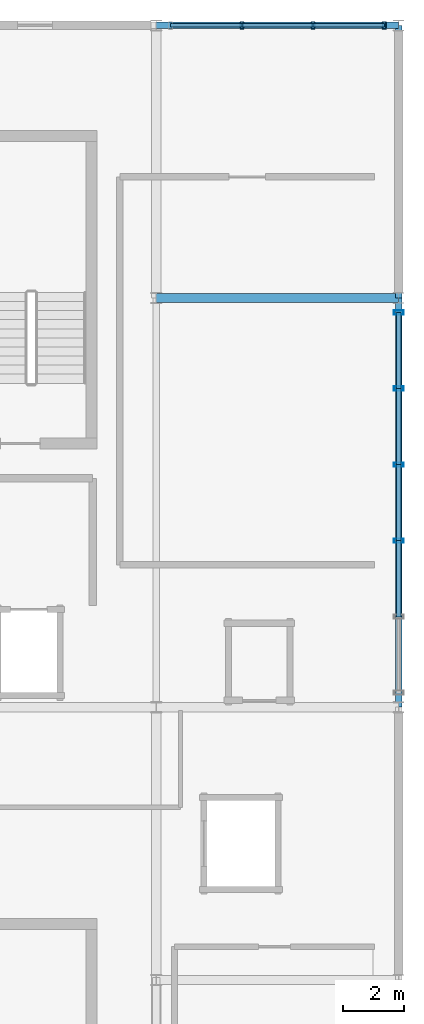
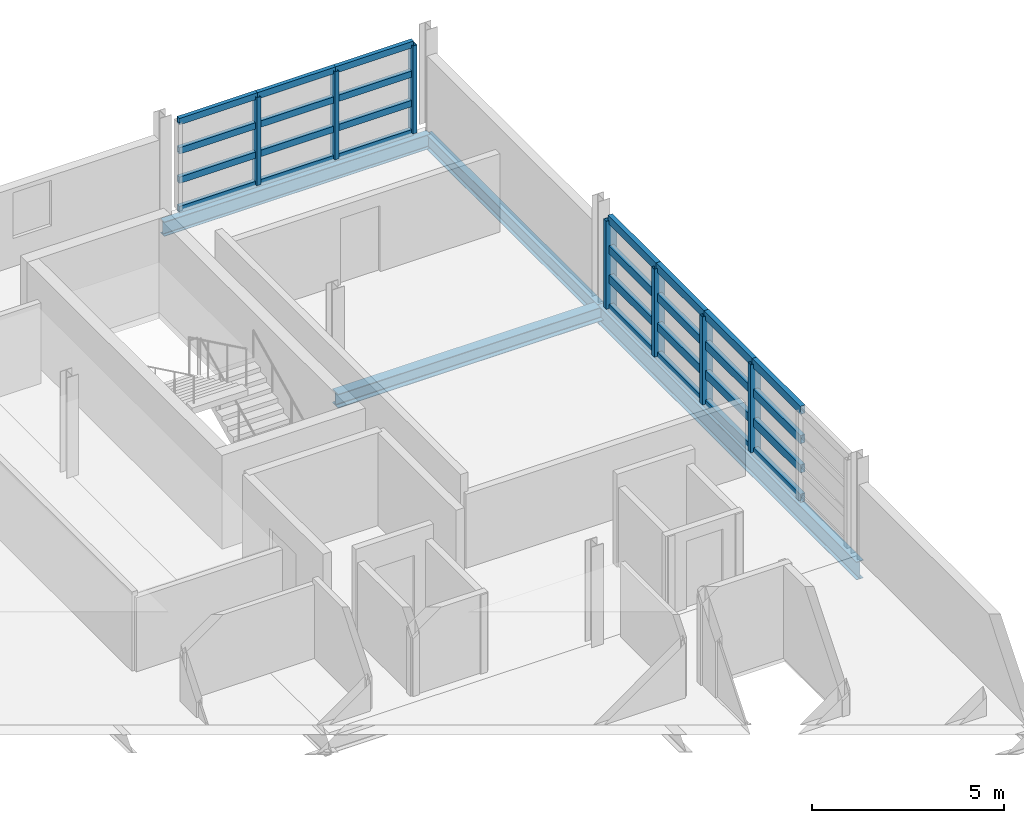
# One storey, part 18 of 30: 35 members, 4 beams, 2 elements without a shape of their own.
"""IFC4 building model written with IfcOpenShell, lengths in metres."""

from ifc_helpers import new_model, si_unit, direction, frame, origin, origin_2d, place, context, subcontext, project, spatial, hollow_rectangle, i_section, extrude, material, material_profile, profile_set, type_object, element, aggregate, save


model = new_model("IFC4")

# Units and contexts
model_context = context("Model", 3, precision=1e-05, world=origin(), true_north=direction((0.0, 1.0)))
body_context = subcontext(model_context, "Body", "Model", "MODEL_VIEW")
ifc_project = project(units=[si_unit("LENGTHUNIT", "METRE"), si_unit("AREAUNIT", "SQUARE_METRE"), si_unit("VOLUMEUNIT", "CUBIC_METRE"), si_unit("PLANEANGLEUNIT", "RADIAN"), si_unit("MASSUNIT", "GRAM", prefix="KILO")], contexts=[model_context])

# Site, building, storey
site_placement = place(None, origin())
site = spatial("IfcSite", under=ifc_project, at=site_placement, CompositionType="ELEMENT")
building_placement = place(site_placement, origin())
building = spatial("IfcBuilding", under=site, at=building_placement, Name="Chuanluo Vaults Station", CompositionType="ELEMENT")
storey_placement = place(building_placement, frame((0.0, 0.0, 17.60009765625)))
storey = spatial("IfcBuildingStorey", under=building, at=storey_placement, Name="L04", CompositionType="ELEMENT", Elevation=17.60009765625)

# Beams
ifc_material_1 = material(Name="Steel Q355C", Category="steel")
ifc_material_profile_1 = material_profile(ifc_material_1, i_section(OverallWidth=0.300048828125, OverallDepth=0.43994140625, WebThickness=0.010986328125, FlangeThickness=0.01806640625, FilletRadius=0.02001953125, at=origin_2d()))
ifc_profile_set_1 = profile_set([ifc_material_profile_1], Name="Steel Q355C")
beam_type_1 = type_object("IfcBeamType", Name="BM-GRD-450", PredefinedType="USERDEFINED", material=ifc_profile_set_1)
beam_1_placement = place(storey_placement, frame((180.0, 117.0, -0.420166015625), z_axis=(1.0, 0.0, 0.0), x_axis=(0.0, 1.0, 0.0)))
element("IfcBeam", 1, at=beam_1_placement, inside=storey, type_object=beam_type_1, Name="Floor girder BM:GX:L04:0889", ObjectType="GIRDER", PredefinedType="USERDEFINED", context=body_context, shape_type="SweptSolid", body=[
    extrude(i_section(OverallWidth=0.300048828125, OverallDepth=0.43994140625, WebThickness=0.010986328125, FlangeThickness=0.01806640625, FilletRadius=0.02001953125, at=origin_2d()), origin(), (0.0, 0.0, 1.0), 8.0),
])
ifc_material_2 = material(Name="Steel Q355C", Category="steel")
ifc_material_profile_2 = material_profile(ifc_material_2, i_section(OverallWidth=0.205078125, OverallDepth=0.4599609375, WebThickness=0.009033203125, FlangeThickness=0.013916015625, FilletRadius=0.01611328125, at=origin_2d()))
ifc_profile_set_2 = profile_set([ifc_material_profile_2], Name="Steel Q355C")
beam_type_2 = type_object("IfcBeamType", Name="BM-SPN-450", PredefinedType="SPANDREL", material=ifc_profile_set_2)
beam_2_placement = place(storey_placement, frame((180.0, 126.0, -0.43017578125), z_axis=(1.0, 0.0, 0.0), x_axis=(0.0, 1.0, 0.0)))
element("IfcBeam", 2, at=beam_2_placement, inside=storey, type_object=beam_type_2, Name="Floor girder BM:GX:L04:0897", PredefinedType="SPANDREL", context=body_context, shape_type="SweptSolid", body=[
    extrude(i_section(OverallWidth=0.205078125, OverallDepth=0.4599609375, WebThickness=0.009033203125, FlangeThickness=0.013916015625, FilletRadius=0.01611328125, at=origin_2d()), origin(), (0.0, 0.0, 1.0), 8.0),
])
beam_3_placement = place(storey_placement, frame((188.0, 117.0, -0.43017578125), z_axis=(0.0, 1.0, 0.0), x_axis=(-1.0, 0.0, 0.0)))
element("IfcBeam", 3, at=beam_3_placement, inside=storey, type_object=beam_type_2, Name="Floor girder BM:GY:L04:0953", PredefinedType="SPANDREL", context=body_context, shape_type="SweptSolid", body=[
    extrude(i_section(OverallWidth=0.205078125, OverallDepth=0.4599609375, WebThickness=0.009033203125, FlangeThickness=0.013916015625, FilletRadius=0.01611328125, at=origin_2d()), origin(), (0.0, 0.0, 1.0), 9.0),
])
ifc_material_3 = material(Name="Steel Q355C", Category="steel")
ifc_material_profile_3 = material_profile(ifc_material_3, i_section(OverallWidth=0.2099609375, OverallDepth=0.580078125, WebThickness=0.010986328125, FlangeThickness=0.01708984375, FilletRadius=0.01806640625, at=origin_2d()))
ifc_profile_set_3 = profile_set([ifc_material_profile_3], Name="Steel Q355C")
beam_type_3 = type_object("IfcBeamType", Name="BM-SPN-600", PredefinedType="SPANDREL", material=ifc_profile_set_3)
beam_4_placement = place(storey_placement, frame((188.0, 103.5, -0.489990234375), z_axis=(0.0, 1.0, 0.0), x_axis=(-1.0, 0.0, 0.0)))
element("IfcBeam", 4, at=beam_4_placement, inside=storey, type_object=beam_type_3, Name="Floor girder BM:GY:L04:0952", PredefinedType="SPANDREL", context=body_context, shape_type="SweptSolid", body=[
    extrude(i_section(OverallWidth=0.2099609375, OverallDepth=0.580078125, WebThickness=0.010986328125, FlangeThickness=0.01708984375, FilletRadius=0.01806640625, at=origin_2d()), origin(), (0.0, 0.0, 1.0), 13.5),
])

# Curtain wall, members
ifc_material_4 = material(Name="Anodised aluminium 6063-T6", Category="aluminium")
curtain_wall_type_1 = type_object("IfcCurtainWallType", Name="CW-SYS-19", PredefinedType="NOTDEFINED", material=ifc_material_4)
curtain_wall_1_placement = place(storey_placement, origin())
curtain_wall_1 = element("IfcCurtainWall", 5, at=curtain_wall_1_placement, inside=storey, type_object=curtain_wall_type_1, Name="Operations L04 facade CW", PredefinedType="NOTDEFINED")
ifc_material_5 = material(Name="Anodised aluminium 6063-T6", Category="aluminium")
ifc_material_profile_4 = material_profile(ifc_material_5, hollow_rectangle(XDim=0.1201171875, YDim=0.25, WallThickness=0.006103515625, at=origin_2d()))
ifc_profile_set_4 = profile_set([ifc_material_profile_4], Name="Anodised aluminium 6063-T6")
member_type_1 = type_object("IfcMemberType", Name="CWM-160", PredefinedType="MULLION", material=ifc_profile_set_4)
member_1_placement = place(storey_placement, frame((182.824951171875, 126.0, 0.0), z_axis=(0.0, 0.0, 1.0), x_axis=(1.0, 0.0, 0.0)))
member_1 = element("IfcMember", 6, at=member_1_placement, type_object=member_type_1, Name="Operations L04 facade CW mullion 2", PredefinedType="MULLION", context=body_context, shape_type="SweptSolid", body=[
    extrude(hollow_rectangle(XDim=0.1201171875, YDim=0.25, WallThickness=0.006103515625, at=origin_2d()), origin(), (0.0, 0.0, 1.0), 2.7998046875),
])
member_2_placement = place(storey_placement, frame((185.175048828125, 126.0, 0.0), z_axis=(0.0, 0.0, 1.0), x_axis=(1.0, 0.0, 0.0)))
member_2 = element("IfcMember", 7, at=member_2_placement, type_object=member_type_1, Name="Operations L04 facade CW mullion 3", PredefinedType="MULLION", context=body_context, shape_type="SweptSolid", body=[
    extrude(hollow_rectangle(XDim=0.1201171875, YDim=0.25, WallThickness=0.006103515625, at=origin_2d()), origin(), (0.0, 0.0, 1.0), 2.7998046875),
])
member_3_placement = place(storey_placement, frame((187.52490234375, 126.0, 0.0), z_axis=(0.0, 0.0, 1.0), x_axis=(1.0, 0.0, 0.0)))
member_3 = element("IfcMember", 8, at=member_3_placement, type_object=member_type_1, Name="Operations L04 facade CW mullion 4", PredefinedType="MULLION", context=body_context, shape_type="SweptSolid", body=[
    extrude(hollow_rectangle(XDim=0.1201171875, YDim=0.25, WallThickness=0.006103515625, at=origin_2d()), origin(), (0.0, 0.0, 1.0), 2.7998046875),
])

ifc_material_6 = material(Name="Anodised aluminium 6063-T6", Category="aluminium")
curtain_wall_type_2 = type_object("IfcCurtainWallType", Name="CW-SYS-21", PredefinedType="NOTDEFINED", material=ifc_material_6)
curtain_wall_2_placement = place(storey_placement, origin())
curtain_wall_2 = element("IfcCurtainWall", 9, at=curtain_wall_2_placement, inside=storey, type_object=curtain_wall_type_2, Name="Operations L04 facade CW", PredefinedType="NOTDEFINED")
ifc_material_7 = material(Name="Anodised aluminium 6063-T6", Category="aluminium")
ifc_material_profile_5 = material_profile(ifc_material_7, hollow_rectangle(XDim=0.139892578125, YDim=0.320068359375, WallThickness=0.008056640625, at=origin_2d()))
ifc_profile_set_5 = profile_set([ifc_material_profile_5], Name="Anodised aluminium 6063-T6")
member_type_2 = type_object("IfcMemberType", Name="CWM-220", PredefinedType="MULLION", material=ifc_profile_set_5)
member_4_placement = place(storey_placement, frame((188.0, 116.52490234375, 0.0), z_axis=(0.0, 0.0, 1.0), x_axis=(0.0, -1.0, 0.0)))
member_4 = element("IfcMember", 10, at=member_4_placement, type_object=member_type_2, Name="Operations L04 facade CW mullion 1", PredefinedType="MULLION", context=body_context, shape_type="SweptSolid", body=[
    extrude(hollow_rectangle(XDim=0.139892578125, YDim=0.320068359375, WallThickness=0.008056640625, at=origin_2d()), origin(), (0.0, 0.0, 1.0), 2.7998046875),
])
member_5_placement = place(storey_placement, frame((188.0, 114.014892578125, 0.0), z_axis=(0.0, 0.0, 1.0), x_axis=(0.0, -1.0, 0.0)))
member_5 = element("IfcMember", 11, at=member_5_placement, type_object=member_type_2, Name="Operations L04 facade CW mullion 2", PredefinedType="MULLION", context=body_context, shape_type="SweptSolid", body=[
    extrude(hollow_rectangle(XDim=0.139892578125, YDim=0.320068359375, WallThickness=0.008056640625, at=origin_2d()), origin(), (0.0, 0.0, 1.0), 2.7998046875),
])
member_6_placement = place(storey_placement, frame((188.0, 111.5048828125, 0.0), z_axis=(0.0, 0.0, 1.0), x_axis=(0.0, -1.0, 0.0)))
member_6 = element("IfcMember", 12, at=member_6_placement, type_object=member_type_2, Name="Operations L04 facade CW mullion 3", PredefinedType="MULLION", context=body_context, shape_type="SweptSolid", body=[
    extrude(hollow_rectangle(XDim=0.139892578125, YDim=0.320068359375, WallThickness=0.008056640625, at=origin_2d()), origin(), (0.0, 0.0, 1.0), 2.7998046875),
])
member_7_placement = place(storey_placement, frame((188.0, 108.9951171875, 0.0), z_axis=(0.0, 0.0, 1.0), x_axis=(0.0, -1.0, 0.0)))
member_7 = element("IfcMember", 13, at=member_7_placement, type_object=member_type_2, Name="Operations L04 facade CW mullion 4", PredefinedType="MULLION", context=body_context, shape_type="SweptSolid", body=[
    extrude(hollow_rectangle(XDim=0.139892578125, YDim=0.320068359375, WallThickness=0.008056640625, at=origin_2d()), origin(), (0.0, 0.0, 1.0), 2.7998046875),
])

# Member
ifc_material_8 = material(Name="Anodised aluminium 6063-T6", Category="aluminium")
ifc_material_profile_6 = material_profile(ifc_material_8, hollow_rectangle(XDim=0.1201171875, YDim=0.205078125, WallThickness=0.006103515625, at=origin_2d()))
ifc_profile_set_6 = profile_set([ifc_material_profile_6], Name="Anodised aluminium 6063-T6")
member_type_3 = type_object("IfcMemberType", Name="CWT-130", PredefinedType="USERDEFINED", material=ifc_profile_set_6)
member_8_placement = place(storey_placement, frame((180.47509765625, 126.0, 0.0), z_axis=(1.0, 0.0, 0.0), x_axis=(0.0, 1.0, 0.0)))
member_8 = element("IfcMember", 14, at=member_8_placement, type_object=member_type_3, Name="Operations L04 facade CW transom 1.1", ObjectType="TRANSOM", PredefinedType="USERDEFINED", context=body_context, shape_type="SweptSolid", body=[
    extrude(hollow_rectangle(XDim=0.1201171875, YDim=0.205078125, WallThickness=0.006103515625, at=origin_2d()), origin(), (0.0, 0.0, 1.0), 2.349853515625),
])

member_9_placement = place(storey_placement, frame((180.47509765625, 126.0, 0.93310546875), z_axis=(1.0, 0.0, 0.0), x_axis=(0.0, 1.0, 0.0)))
member_9 = element("IfcMember", 15, at=member_9_placement, type_object=member_type_3, Name="Operations L04 facade CW transom 1.2", ObjectType="TRANSOM", PredefinedType="USERDEFINED", context=body_context, shape_type="SweptSolid", body=[
    extrude(hollow_rectangle(XDim=0.1201171875, YDim=0.205078125, WallThickness=0.006103515625, at=origin_2d()), origin(), (0.0, 0.0, 1.0), 2.349853515625),
])

member_10_placement = place(storey_placement, frame((180.47509765625, 126.0, 1.86669921875), z_axis=(1.0, 0.0, 0.0), x_axis=(0.0, 1.0, 0.0)))
member_10 = element("IfcMember", 16, at=member_10_placement, type_object=member_type_3, Name="Operations L04 facade CW transom 1.3", ObjectType="TRANSOM", PredefinedType="USERDEFINED", context=body_context, shape_type="SweptSolid", body=[
    extrude(hollow_rectangle(XDim=0.1201171875, YDim=0.205078125, WallThickness=0.006103515625, at=origin_2d()), origin(), (0.0, 0.0, 1.0), 2.349853515625),
])

member_11_placement = place(storey_placement, frame((180.47509765625, 126.0, 2.7998046875), z_axis=(1.0, 0.0, 0.0), x_axis=(0.0, 1.0, 0.0)))
member_11 = element("IfcMember", 17, at=member_11_placement, type_object=member_type_3, Name="Operations L04 facade CW transom 1.4", ObjectType="TRANSOM", PredefinedType="USERDEFINED", context=body_context, shape_type="SweptSolid", body=[
    extrude(hollow_rectangle(XDim=0.1201171875, YDim=0.205078125, WallThickness=0.006103515625, at=origin_2d()), origin(), (0.0, 0.0, 1.0), 2.349853515625),
])

member_12_placement = place(storey_placement, frame((182.824951171875, 126.0, 0.0), z_axis=(1.0, 0.0, 0.0), x_axis=(0.0, 1.0, 0.0)))
member_12 = element("IfcMember", 18, at=member_12_placement, type_object=member_type_3, Name="Operations L04 facade CW transom 2.1", ObjectType="TRANSOM", PredefinedType="USERDEFINED", context=body_context, shape_type="SweptSolid", body=[
    extrude(hollow_rectangle(XDim=0.1201171875, YDim=0.205078125, WallThickness=0.006103515625, at=origin_2d()), origin(), (0.0, 0.0, 1.0), 2.35009765625),
])

member_13_placement = place(storey_placement, frame((182.824951171875, 126.0, 0.93310546875), z_axis=(1.0, 0.0, 0.0), x_axis=(0.0, 1.0, 0.0)))
member_13 = element("IfcMember", 19, at=member_13_placement, type_object=member_type_3, Name="Operations L04 facade CW transom 2.2", ObjectType="TRANSOM", PredefinedType="USERDEFINED", context=body_context, shape_type="SweptSolid", body=[
    extrude(hollow_rectangle(XDim=0.1201171875, YDim=0.205078125, WallThickness=0.006103515625, at=origin_2d()), origin(), (0.0, 0.0, 1.0), 2.35009765625),
])

member_14_placement = place(storey_placement, frame((182.824951171875, 126.0, 1.86669921875), z_axis=(1.0, 0.0, 0.0), x_axis=(0.0, 1.0, 0.0)))
member_14 = element("IfcMember", 20, at=member_14_placement, type_object=member_type_3, Name="Operations L04 facade CW transom 2.3", ObjectType="TRANSOM", PredefinedType="USERDEFINED", context=body_context, shape_type="SweptSolid", body=[
    extrude(hollow_rectangle(XDim=0.1201171875, YDim=0.205078125, WallThickness=0.006103515625, at=origin_2d()), origin(), (0.0, 0.0, 1.0), 2.35009765625),
])

member_15_placement = place(storey_placement, frame((182.824951171875, 126.0, 2.7998046875), z_axis=(1.0, 0.0, 0.0), x_axis=(0.0, 1.0, 0.0)))
member_15 = element("IfcMember", 21, at=member_15_placement, type_object=member_type_3, Name="Operations L04 facade CW transom 2.4", ObjectType="TRANSOM", PredefinedType="USERDEFINED", context=body_context, shape_type="SweptSolid", body=[
    extrude(hollow_rectangle(XDim=0.1201171875, YDim=0.205078125, WallThickness=0.006103515625, at=origin_2d()), origin(), (0.0, 0.0, 1.0), 2.35009765625),
])

member_16_placement = place(storey_placement, frame((185.175048828125, 126.0, 0.0), z_axis=(1.0, 0.0, 0.0), x_axis=(0.0, 1.0, 0.0)))
member_16 = element("IfcMember", 22, at=member_16_placement, type_object=member_type_3, Name="Operations L04 facade CW transom 3.1", ObjectType="TRANSOM", PredefinedType="USERDEFINED", context=body_context, shape_type="SweptSolid", body=[
    extrude(hollow_rectangle(XDim=0.1201171875, YDim=0.205078125, WallThickness=0.006103515625, at=origin_2d()), origin(), (0.0, 0.0, 1.0), 2.349853515625),
])

member_17_placement = place(storey_placement, frame((185.175048828125, 126.0, 0.93310546875), z_axis=(1.0, 0.0, 0.0), x_axis=(0.0, 1.0, 0.0)))
member_17 = element("IfcMember", 23, at=member_17_placement, type_object=member_type_3, Name="Operations L04 facade CW transom 3.2", ObjectType="TRANSOM", PredefinedType="USERDEFINED", context=body_context, shape_type="SweptSolid", body=[
    extrude(hollow_rectangle(XDim=0.1201171875, YDim=0.205078125, WallThickness=0.006103515625, at=origin_2d()), origin(), (0.0, 0.0, 1.0), 2.349853515625),
])

member_18_placement = place(storey_placement, frame((185.175048828125, 126.0, 1.86669921875), z_axis=(1.0, 0.0, 0.0), x_axis=(0.0, 1.0, 0.0)))
member_18 = element("IfcMember", 24, at=member_18_placement, type_object=member_type_3, Name="Operations L04 facade CW transom 3.3", ObjectType="TRANSOM", PredefinedType="USERDEFINED", context=body_context, shape_type="SweptSolid", body=[
    extrude(hollow_rectangle(XDim=0.1201171875, YDim=0.205078125, WallThickness=0.006103515625, at=origin_2d()), origin(), (0.0, 0.0, 1.0), 2.349853515625),
])

member_19_placement = place(storey_placement, frame((185.175048828125, 126.0, 2.7998046875), z_axis=(1.0, 0.0, 0.0), x_axis=(0.0, 1.0, 0.0)))
member_19 = element("IfcMember", 25, at=member_19_placement, type_object=member_type_3, Name="Operations L04 facade CW transom 3.4", ObjectType="TRANSOM", PredefinedType="USERDEFINED", context=body_context, shape_type="SweptSolid", body=[
    extrude(hollow_rectangle(XDim=0.1201171875, YDim=0.205078125, WallThickness=0.006103515625, at=origin_2d()), origin(), (0.0, 0.0, 1.0), 2.349853515625),
])

aggregate(curtain_wall_1, [member_1, member_2, member_3, member_8, member_9, member_10, member_11, member_12, member_13, member_14, member_15, member_16, member_17, member_18, member_19])

ifc_material_9 = material(Name="Anodised aluminium 6063-T6", Category="aluminium")
ifc_material_profile_7 = material_profile(ifc_material_9, hollow_rectangle(XDim=0.139892578125, YDim=0.260009765625, WallThickness=0.007080078125, at=origin_2d()))
ifc_profile_set_7 = profile_set([ifc_material_profile_7], Name="Anodised aluminium 6063-T6")
member_type_4 = type_object("IfcMemberType", Name="CWT-180", PredefinedType="USERDEFINED", material=ifc_profile_set_7)
member_20_placement = place(storey_placement, frame((188.0, 116.52490234375, 0.0), z_axis=(0.0, -1.0, 0.0), x_axis=(1.0, 0.0, 0.0)))
member_20 = element("IfcMember", 26, at=member_20_placement, type_object=member_type_4, Name="Operations L04 facade CW transom 1.1", ObjectType="TRANSOM", PredefinedType="USERDEFINED", context=body_context, shape_type="SweptSolid", body=[
    extrude(hollow_rectangle(XDim=0.139892578125, YDim=0.260009765625, WallThickness=0.007080078125, at=origin_2d()), origin(), (0.0, 0.0, 1.0), 2.510009765625),
])

member_21_placement = place(storey_placement, frame((188.0, 116.52490234375, 0.93310546875), z_axis=(0.0, -1.0, 0.0), x_axis=(1.0, 0.0, 0.0)))
member_21 = element("IfcMember", 27, at=member_21_placement, type_object=member_type_4, Name="Operations L04 facade CW transom 1.2", ObjectType="TRANSOM", PredefinedType="USERDEFINED", context=body_context, shape_type="SweptSolid", body=[
    extrude(hollow_rectangle(XDim=0.139892578125, YDim=0.260009765625, WallThickness=0.007080078125, at=origin_2d()), origin(), (0.0, 0.0, 1.0), 2.510009765625),
])

member_22_placement = place(storey_placement, frame((188.0, 116.52490234375, 1.86669921875), z_axis=(0.0, -1.0, 0.0), x_axis=(1.0, 0.0, 0.0)))
member_22 = element("IfcMember", 28, at=member_22_placement, type_object=member_type_4, Name="Operations L04 facade CW transom 1.3", ObjectType="TRANSOM", PredefinedType="USERDEFINED", context=body_context, shape_type="SweptSolid", body=[
    extrude(hollow_rectangle(XDim=0.139892578125, YDim=0.260009765625, WallThickness=0.007080078125, at=origin_2d()), origin(), (0.0, 0.0, 1.0), 2.510009765625),
])

member_23_placement = place(storey_placement, frame((188.0, 116.52490234375, 2.7998046875), z_axis=(0.0, -1.0, 0.0), x_axis=(1.0, 0.0, 0.0)))
member_23 = element("IfcMember", 29, at=member_23_placement, type_object=member_type_4, Name="Operations L04 facade CW transom 1.4", ObjectType="TRANSOM", PredefinedType="USERDEFINED", context=body_context, shape_type="SweptSolid", body=[
    extrude(hollow_rectangle(XDim=0.139892578125, YDim=0.260009765625, WallThickness=0.007080078125, at=origin_2d()), origin(), (0.0, 0.0, 1.0), 2.510009765625),
])

member_24_placement = place(storey_placement, frame((188.0, 114.014892578125, 0.0), z_axis=(0.0, -1.0, 0.0), x_axis=(1.0, 0.0, 0.0)))
member_24 = element("IfcMember", 30, at=member_24_placement, type_object=member_type_4, Name="Operations L04 facade CW transom 2.1", ObjectType="TRANSOM", PredefinedType="USERDEFINED", context=body_context, shape_type="SweptSolid", body=[
    extrude(hollow_rectangle(XDim=0.139892578125, YDim=0.260009765625, WallThickness=0.007080078125, at=origin_2d()), origin(), (0.0, 0.0, 1.0), 2.510009765625),
])

member_25_placement = place(storey_placement, frame((188.0, 114.014892578125, 0.93310546875), z_axis=(0.0, -1.0, 0.0), x_axis=(1.0, 0.0, 0.0)))
member_25 = element("IfcMember", 31, at=member_25_placement, type_object=member_type_4, Name="Operations L04 facade CW transom 2.2", ObjectType="TRANSOM", PredefinedType="USERDEFINED", context=body_context, shape_type="SweptSolid", body=[
    extrude(hollow_rectangle(XDim=0.139892578125, YDim=0.260009765625, WallThickness=0.007080078125, at=origin_2d()), origin(), (0.0, 0.0, 1.0), 2.510009765625),
])

member_26_placement = place(storey_placement, frame((188.0, 114.014892578125, 1.86669921875), z_axis=(0.0, -1.0, 0.0), x_axis=(1.0, 0.0, 0.0)))
member_26 = element("IfcMember", 32, at=member_26_placement, type_object=member_type_4, Name="Operations L04 facade CW transom 2.3", ObjectType="TRANSOM", PredefinedType="USERDEFINED", context=body_context, shape_type="SweptSolid", body=[
    extrude(hollow_rectangle(XDim=0.139892578125, YDim=0.260009765625, WallThickness=0.007080078125, at=origin_2d()), origin(), (0.0, 0.0, 1.0), 2.510009765625),
])

member_27_placement = place(storey_placement, frame((188.0, 114.014892578125, 2.7998046875), z_axis=(0.0, -1.0, 0.0), x_axis=(1.0, 0.0, 0.0)))
member_27 = element("IfcMember", 33, at=member_27_placement, type_object=member_type_4, Name="Operations L04 facade CW transom 2.4", ObjectType="TRANSOM", PredefinedType="USERDEFINED", context=body_context, shape_type="SweptSolid", body=[
    extrude(hollow_rectangle(XDim=0.139892578125, YDim=0.260009765625, WallThickness=0.007080078125, at=origin_2d()), origin(), (0.0, 0.0, 1.0), 2.510009765625),
])

member_28_placement = place(storey_placement, frame((188.0, 111.5048828125, 0.0), z_axis=(0.0, -1.0, 0.0), x_axis=(1.0, 0.0, 0.0)))
member_28 = element("IfcMember", 34, at=member_28_placement, type_object=member_type_4, Name="Operations L04 facade CW transom 3.1", ObjectType="TRANSOM", PredefinedType="USERDEFINED", context=body_context, shape_type="SweptSolid", body=[
    extrude(hollow_rectangle(XDim=0.139892578125, YDim=0.260009765625, WallThickness=0.007080078125, at=origin_2d()), origin(), (0.0, 0.0, 1.0), 2.509765625),
])

member_29_placement = place(storey_placement, frame((188.0, 111.5048828125, 0.93310546875), z_axis=(0.0, -1.0, 0.0), x_axis=(1.0, 0.0, 0.0)))
member_29 = element("IfcMember", 35, at=member_29_placement, type_object=member_type_4, Name="Operations L04 facade CW transom 3.2", ObjectType="TRANSOM", PredefinedType="USERDEFINED", context=body_context, shape_type="SweptSolid", body=[
    extrude(hollow_rectangle(XDim=0.139892578125, YDim=0.260009765625, WallThickness=0.007080078125, at=origin_2d()), origin(), (0.0, 0.0, 1.0), 2.509765625),
])

member_30_placement = place(storey_placement, frame((188.0, 111.5048828125, 1.86669921875), z_axis=(0.0, -1.0, 0.0), x_axis=(1.0, 0.0, 0.0)))
member_30 = element("IfcMember", 36, at=member_30_placement, type_object=member_type_4, Name="Operations L04 facade CW transom 3.3", ObjectType="TRANSOM", PredefinedType="USERDEFINED", context=body_context, shape_type="SweptSolid", body=[
    extrude(hollow_rectangle(XDim=0.139892578125, YDim=0.260009765625, WallThickness=0.007080078125, at=origin_2d()), origin(), (0.0, 0.0, 1.0), 2.509765625),
])

member_31_placement = place(storey_placement, frame((188.0, 111.5048828125, 2.7998046875), z_axis=(0.0, -1.0, 0.0), x_axis=(1.0, 0.0, 0.0)))
member_31 = element("IfcMember", 37, at=member_31_placement, type_object=member_type_4, Name="Operations L04 facade CW transom 3.4", ObjectType="TRANSOM", PredefinedType="USERDEFINED", context=body_context, shape_type="SweptSolid", body=[
    extrude(hollow_rectangle(XDim=0.139892578125, YDim=0.260009765625, WallThickness=0.007080078125, at=origin_2d()), origin(), (0.0, 0.0, 1.0), 2.509765625),
])

member_32_placement = place(storey_placement, frame((188.0, 108.9951171875, 0.0), z_axis=(0.0, -1.0, 0.0), x_axis=(1.0, 0.0, 0.0)))
member_32 = element("IfcMember", 38, at=member_32_placement, type_object=member_type_4, Name="Operations L04 facade CW transom 4.1", ObjectType="TRANSOM", PredefinedType="USERDEFINED", context=body_context, shape_type="SweptSolid", body=[
    extrude(hollow_rectangle(XDim=0.139892578125, YDim=0.260009765625, WallThickness=0.007080078125, at=origin_2d()), origin(), (0.0, 0.0, 1.0), 2.510009765625),
])

member_33_placement = place(storey_placement, frame((188.0, 108.9951171875, 0.93310546875), z_axis=(0.0, -1.0, 0.0), x_axis=(1.0, 0.0, 0.0)))
member_33 = element("IfcMember", 39, at=member_33_placement, type_object=member_type_4, Name="Operations L04 facade CW transom 4.2", ObjectType="TRANSOM", PredefinedType="USERDEFINED", context=body_context, shape_type="SweptSolid", body=[
    extrude(hollow_rectangle(XDim=0.139892578125, YDim=0.260009765625, WallThickness=0.007080078125, at=origin_2d()), origin(), (0.0, 0.0, 1.0), 2.510009765625),
])

member_34_placement = place(storey_placement, frame((188.0, 108.9951171875, 1.86669921875), z_axis=(0.0, -1.0, 0.0), x_axis=(1.0, 0.0, 0.0)))
member_34 = element("IfcMember", 40, at=member_34_placement, type_object=member_type_4, Name="Operations L04 facade CW transom 4.3", ObjectType="TRANSOM", PredefinedType="USERDEFINED", context=body_context, shape_type="SweptSolid", body=[
    extrude(hollow_rectangle(XDim=0.139892578125, YDim=0.260009765625, WallThickness=0.007080078125, at=origin_2d()), origin(), (0.0, 0.0, 1.0), 2.510009765625),
])

member_35_placement = place(storey_placement, frame((188.0, 108.9951171875, 2.7998046875), z_axis=(0.0, -1.0, 0.0), x_axis=(1.0, 0.0, 0.0)))
member_35 = element("IfcMember", 41, at=member_35_placement, type_object=member_type_4, Name="Operations L04 facade CW transom 4.4", ObjectType="TRANSOM", PredefinedType="USERDEFINED", context=body_context, shape_type="SweptSolid", body=[
    extrude(hollow_rectangle(XDim=0.139892578125, YDim=0.260009765625, WallThickness=0.007080078125, at=origin_2d()), origin(), (0.0, 0.0, 1.0), 2.510009765625),
])

aggregate(curtain_wall_2, [member_4, member_5, member_6, member_7, member_20, member_21, member_22, member_23, member_24, member_25, member_26, member_27, member_28, member_29, member_30, member_31, member_32, member_33, member_34, member_35])

save(model, "model.ifc")
